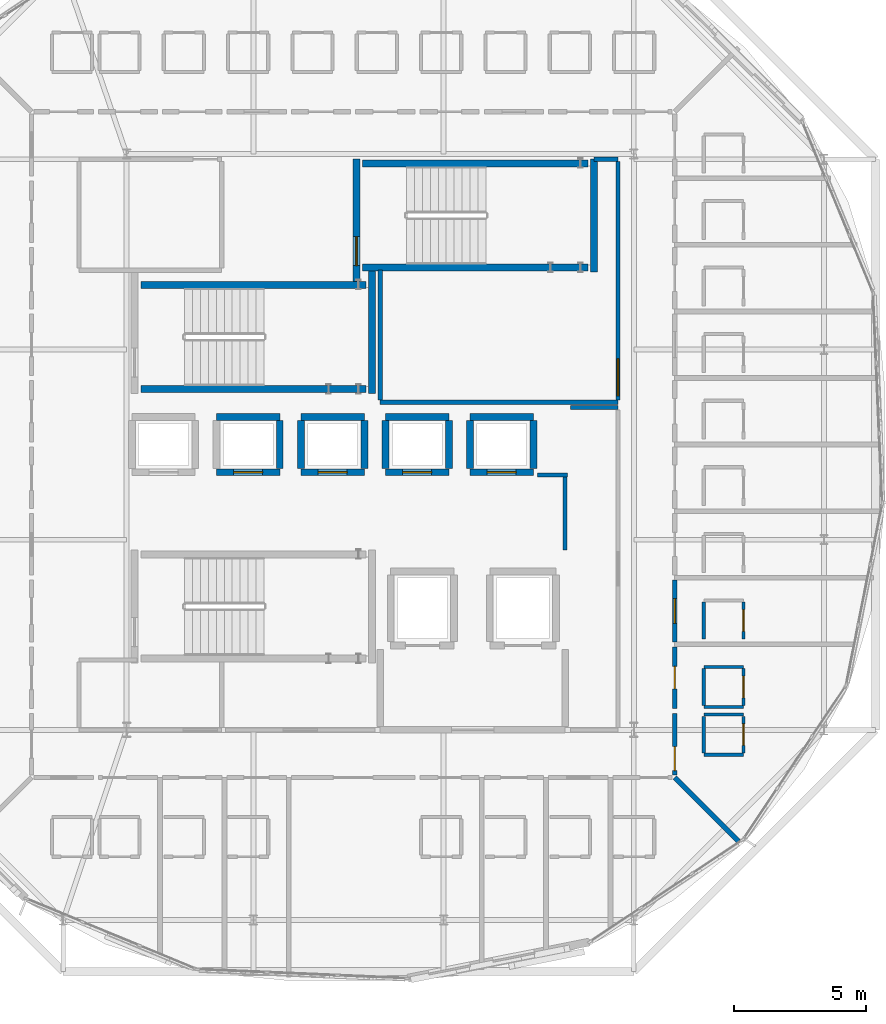
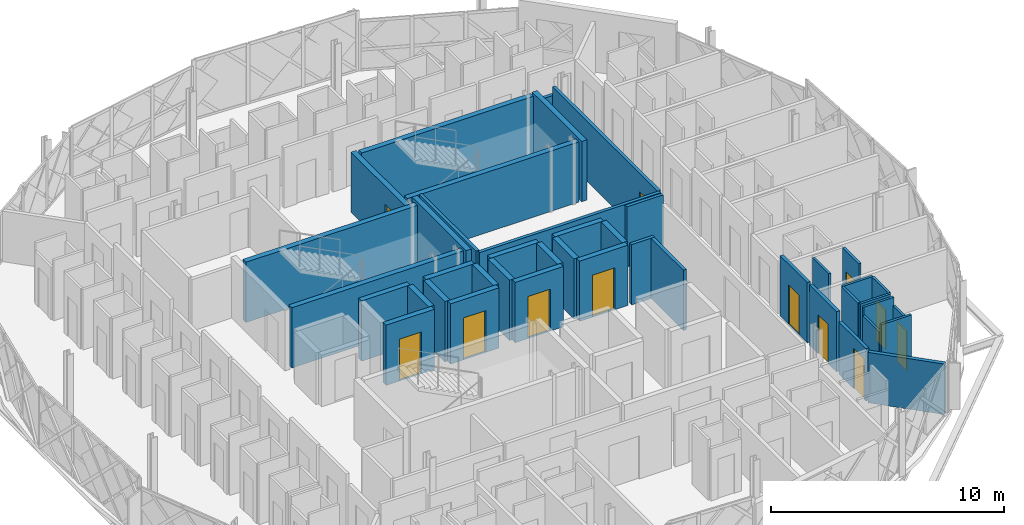
# One storey, part 16 of 24: 43 walls, 12 doors, 12 openings.
"""IFC4 building model written with IfcOpenShell, lengths in metres."""

from ifc_helpers import new_model, si_unit, direction, frame, frame_2d, origin, place, context, subcontext, project, spatial, rectangle, extrude, material, layer, layer_set, type_object, element, fill, save


model = new_model("IFC4")

# Units and contexts
model_context = context("Model", 3, precision=1e-05, world=origin(), true_north=direction((0.0, 1.0)))
body_context = subcontext(model_context, "Body", "Model", "MODEL_VIEW")
ifc_project = project(units=[si_unit("LENGTHUNIT", "METRE"), si_unit("AREAUNIT", "SQUARE_METRE"), si_unit("VOLUMEUNIT", "CUBIC_METRE"), si_unit("PLANEANGLEUNIT", "RADIAN"), si_unit("MASSUNIT", "GRAM", prefix="KILO")], contexts=[model_context])

# Site, building, storey
site_placement = place(None, origin())
site = spatial("IfcSite", under=ifc_project, at=site_placement, CompositionType="ELEMENT")
building_placement = place(site_placement, origin())
building = spatial("IfcBuilding", under=site, at=building_placement, Name="Zevrakil Square Congress Hotel", CompositionType="ELEMENT")
storey_placement = place(building_placement, frame((0.0, 0.0, 35.10009765625)))
storey = spatial("IfcBuildingStorey", under=building, at=storey_placement, Name="L10", CompositionType="ELEMENT", Elevation=35.10009765625)

# Walls
ifc_material_1 = material(Name="Gypsum Acoustic Stud Partition")
ifc_layer_1 = layer(ifc_material_1, 0.159912109375)
ifc_layer_set_1 = layer_set([ifc_layer_1], Name="Gypsum Acoustic Stud Partition")
wall_type_1 = type_object("IfcWallType", Name="WAL-CORR-160", PredefinedType="PARTITIONING", material=ifc_layer_set_1)
wall_1_placement = place(storey_placement, frame((146.39990234375, 29.199951171875, 0.0), z_axis=(0.0, 0.0, 1.0), x_axis=(1.0, 0.0, 0.0)))
element("IfcWall", 1, at=wall_1_placement, inside=storey, type_object=wall_type_1, Name="L10 interior partition PW-L10-1572", PredefinedType="PARTITIONING", context=body_context, shape_type="SweptSolid", body=[
    extrude(rectangle(XDim=9.0, YDim=0.159912109375, at=frame_2d((4.5, 0.0))), origin(), (0.0, 0.0, 1.0), 3.164794921875),
])
wall_2_placement = place(storey_placement, frame((146.39990234375, 29.284912109375, 0.0), z_axis=(0.0, 0.0, 1.0), x_axis=(0.0, 1.0, 0.0)))
element("IfcWall", 2, at=wall_2_placement, inside=storey, type_object=wall_type_1, Name="L10 interior partition PW-L10-1573", PredefinedType="PARTITIONING", context=body_context, shape_type="SweptSolid", body=[
    extrude(rectangle(XDim=4.9150390625, YDim=0.159912109375, at=frame_2d((2.45751953125, 0.0))), origin(), (0.0, 0.0, 1.0), 3.164794921875),
])
wall_3_placement = place(storey_placement, frame((154.5, 38.39990234375, 0.0), z_axis=(0.0, 0.0, 1.0), x_axis=(1.0, 0.0, 0.0)))
element("IfcWall", 3, at=wall_3_placement, inside=storey, type_object=wall_type_1, Name="L10 interior partition PW-L10-1574", PredefinedType="PARTITIONING", context=body_context, shape_type="SweptSolid", body=[
    extrude(rectangle(XDim=0.89990234375, YDim=0.159912109375, at=frame_2d((0.449951171875, 0.0))), origin(), (0.0, 0.0, 1.0), 2.699951171875),
])

# Wall, opening, door
wall_4_placement = place(storey_placement, frame((155.39990234375, 29.284912109375, 0.0), z_axis=(0.0, 0.0, 1.0), x_axis=(0.0, 1.0, 0.0)))
wall_4 = element("IfcWall", 4, at=wall_4_placement, inside=storey, type_object=wall_type_1, Name="L10 interior partition PW-L10-1575", PredefinedType="PARTITIONING", context=body_context, shape_type="SweptSolid", body=[
    extrude(rectangle(XDim=9.030029296875, YDim=0.159912109375, at=frame_2d((4.51513671875, 0.0))), origin(), (0.0, 0.0, 1.0), 3.164794921875),
])
opening_1_placement = place(wall_4_placement, frame((0.159912109375, 0.0, 0.0)))
opening_1 = element("IfcOpeningElement", 5, at=opening_1_placement, cuts=wall_4, Name="Opening ID-09", PredefinedType="OPENING", context=body_context, shape_type="SweptSolid", body=[
    extrude(rectangle(XDim=1.39990234375, YDim=2.199951171875, at=frame_2d((0.699951171875, 1.10009765625))), frame((0.0, 0.08984375, 0.0), z_axis=(0.0, -1.0, 0.0), x_axis=(1.0, 0.0, 0.0)), (0.0, 0.0, 1.0), 0.179931640625),
])
ifc_material_2 = material(Name="Steel S355 Louvred Plant Fire Door", Category="steel")
door_type_1 = type_object("IfcDoorType", Name="DOR-PLANT-140", OperationType="NOTDEFINED", PredefinedType="DOOR", material=ifc_material_2)
door_1_placement = place(opening_1_placement, origin())
door_1 = element("IfcDoor", 6, at=door_1_placement, inside=storey, type_object=door_type_1, Name="L10 interior door 612", OperationType="SINGLE_SWING_RIGHT", OverallHeight=2.199951171875, OverallWidth=1.39990234375, PredefinedType="DOOR", context=body_context, shape_type="SweptSolid", body=[
    extrude(rectangle(XDim=1.39990234375, YDim=2.199951171875, at=frame_2d((0.699951171875, 1.10009765625))), frame((0.0, 0.02490234375, 0.0), z_axis=(0.0, -1.0, 0.0), x_axis=(1.0, 0.0, 0.0)), (0.0, 0.0, 1.0), 0.050048828125),
])
fill(opening_1, door_1)

# Walls
wall_5_placement = place(storey_placement, frame((153.60009765625, 29.0, 0.0), z_axis=(0.0, 0.0, 1.0), x_axis=(1.0, 0.0, 0.0)))
element("IfcWall", 7, at=wall_5_placement, inside=storey, type_object=wall_type_1, Name="L10 interior partition PW-L10-1577", PredefinedType="PARTITIONING", context=body_context, shape_type="SweptSolid", body=[
    extrude(rectangle(XDim=1.7998046875, YDim=0.159912109375, at=frame_2d((0.89990234375, 0.0))), origin(), (0.0, 0.0, 1.0), 3.164794921875),
])
wall_6_placement = place(storey_placement, frame((152.35009765625, 26.449951171875, 0.0), z_axis=(0.0, 0.0, 1.0), x_axis=(1.0, 0.0, 0.0)))
element("IfcWall", 8, at=wall_6_placement, inside=storey, type_object=wall_type_1, Name="L10 interior partition PW-L10-1579", PredefinedType="PARTITIONING", context=body_context, shape_type="SweptSolid", body=[
    extrude(rectangle(XDim=1.14990234375, YDim=0.159912109375, at=frame_2d((0.574951171875, 0.0))), origin(), (0.0, 0.0, 1.0), 3.164794921875),
])
wall_7_placement = place(storey_placement, frame((153.39990234375, 23.60009765625, 0.0), z_axis=(0.0, 0.0, 1.0), x_axis=(0.0, 1.0, 0.0)))
element("IfcWall", 9, at=wall_7_placement, inside=storey, type_object=wall_type_1, Name="L10 interior partition PW-L10-1580", PredefinedType="PARTITIONING", context=body_context, shape_type="SweptSolid", body=[
    extrude(rectangle(XDim=2.7998046875, YDim=0.159912109375, at=frame_2d((1.39990234375, 0.0))), origin(), (0.0, 0.0, 1.0), 3.164794921875),
])

# Wall, opening, door
wall_8_placement = place(storey_placement, frame((157.550048828125, 15.094970703125, 0.0), z_axis=(0.0, 0.0, 1.0), x_axis=(0.0, 1.0, 0.0)))
wall_8 = element("IfcWall", 10, at=wall_8_placement, inside=storey, type_object=wall_type_1, Name="L10 interior partition PW-L10-1625", PredefinedType="PARTITIONING", context=body_context, shape_type="SweptSolid", body=[
    extrude(rectangle(XDim=2.330078125, YDim=0.159912109375, at=frame_2d((1.1650390625, 0.0))), origin(), (0.0, 0.0, 1.0), 2.75),
])
opening_2_placement = place(wall_8_placement, frame((0.159912109375, 0.0, 0.0)))
opening_2 = element("IfcOpeningElement", 11, at=opening_2_placement, cuts=wall_8, Name="Opening ID-H06", PredefinedType="OPENING", context=body_context, shape_type="SweptSolid", body=[
    extrude(rectangle(XDim=0.912109375, YDim=2.1298828125, at=frame_2d((0.4560546875, 1.06494140625))), frame((0.0, 0.08984375, 0.0), z_axis=(0.0, -1.0, 0.0), x_axis=(1.0, 0.0, 0.0)), (0.0, 0.0, 1.0), 0.179931640625),
])
ifc_material_3 = material(Name="Acoustic Timber Fire Door", Category="wood")
door_type_2 = type_object("IfcDoorType", Name="DOR-INT-H06", OperationType="NOTDEFINED", PredefinedType="DOOR", material=ifc_material_3)
door_2_placement = place(opening_2_placement, origin())
door_2 = element("IfcDoor", 12, at=door_2_placement, inside=storey, type_object=door_type_2, Name="L10 interior door 631", OperationType="SINGLE_SWING_LEFT", OverallHeight=2.1298828125, OverallWidth=0.912109375, PredefinedType="DOOR", context=body_context, shape_type="SweptSolid", body=[
    extrude(rectangle(XDim=0.912109375, YDim=2.1298828125, at=frame_2d((0.4560546875, 1.06494140625))), frame((0.0, 0.02490234375, 0.0), z_axis=(0.0, -1.0, 0.0), x_axis=(1.0, 0.0, 0.0)), (0.0, 0.0, 1.0), 0.050048828125),
])
fill(opening_2, door_2)

wall_9_placement = place(storey_placement, frame((157.550048828125, 17.614990234375, 0.0), z_axis=(0.0, 0.0, 1.0), x_axis=(0.0, 1.0, 0.0)))
wall_9 = element("IfcWall", 13, at=wall_9_placement, inside=storey, type_object=wall_type_1, Name="L10 interior partition PW-L10-1630", PredefinedType="PARTITIONING", context=body_context, shape_type="SweptSolid", body=[
    extrude(rectangle(XDim=2.330078125, YDim=0.159912109375, at=frame_2d((1.1650390625, 0.0))), origin(), (0.0, 0.0, 1.0), 3.164794921875),
])
opening_3_placement = place(wall_9_placement, frame((0.737548828125, 0.0, 0.0)))
opening_3 = element("IfcOpeningElement", 14, at=opening_3_placement, cuts=wall_9, Name="Opening ID-G01", PredefinedType="OPENING", context=body_context, shape_type="SweptSolid", body=[
    extrude(rectangle(XDim=0.85498046875, YDim=2.050048828125, at=frame_2d((0.427490234375, 1.02490234375))), frame((0.0, 0.08984375, 0.0), z_axis=(0.0, -1.0, 0.0), x_axis=(1.0, 0.0, 0.0)), (0.0, 0.0, 1.0), 0.179931640625),
])
ifc_material_4 = material(Name="Acoustic Timber Fire Door", Category="wood")
door_type_3 = type_object("IfcDoorType", Name="DOR-INT-G01", OperationType="NOTDEFINED", PredefinedType="DOOR", material=ifc_material_4)
door_3_placement = place(opening_3_placement, origin())
door_3 = element("IfcDoor", 15, at=door_3_placement, inside=storey, type_object=door_type_3, Name="L10 interior door 633", OperationType="SINGLE_SWING_LEFT", OverallHeight=2.050048828125, OverallWidth=0.85498046875, PredefinedType="DOOR", context=body_context, shape_type="SweptSolid", body=[
    extrude(rectangle(XDim=0.85498046875, YDim=2.050048828125, at=frame_2d((0.427490234375, 1.02490234375))), frame((0.0, 0.02490234375, 0.0), z_axis=(0.0, -1.0, 0.0), x_axis=(1.0, 0.0, 0.0)), (0.0, 0.0, 1.0), 0.050048828125),
])
fill(opening_3, door_3)

wall_10_placement = place(storey_placement, frame((157.550048828125, 20.135009765625, 0.0), z_axis=(0.0, 0.0, 1.0), x_axis=(0.0, 1.0, 0.0)))
wall_10 = element("IfcWall", 16, at=wall_10_placement, inside=storey, type_object=wall_type_1, Name="L10 interior partition PW-L10-1636", PredefinedType="PARTITIONING", context=body_context, shape_type="SweptSolid", body=[
    extrude(rectangle(XDim=2.330078125, YDim=0.159912109375, at=frame_2d((1.1650390625, 0.0))), origin(), (0.0, 0.0, 1.0), 3.164794921875),
])
opening_4_placement = place(wall_10_placement, frame((0.697021484375, 0.0, 0.0)))
opening_4 = element("IfcOpeningElement", 17, at=opening_4_placement, cuts=wall_10, Name="Opening ID-H08", PredefinedType="OPENING", context=body_context, shape_type="SweptSolid", body=[
    extrude(rectangle(XDim=0.93603515625, YDim=2.070068359375, at=frame_2d((0.468017578125, 1.03515625))), frame((0.0, 0.08984375, 0.0), z_axis=(0.0, -1.0, 0.0), x_axis=(1.0, 0.0, 0.0)), (0.0, 0.0, 1.0), 0.179931640625),
])
ifc_material_5 = material(Name="Acoustic Timber Fire Door", Category="wood")
door_type_4 = type_object("IfcDoorType", Name="DOR-INT-H08", OperationType="NOTDEFINED", PredefinedType="DOOR", material=ifc_material_5)
door_4_placement = place(opening_4_placement, origin())
door_4 = element("IfcDoor", 18, at=door_4_placement, inside=storey, type_object=door_type_4, Name="L10 interior door 635", OperationType="SINGLE_SWING_LEFT", OverallHeight=2.070068359375, OverallWidth=0.93603515625, PredefinedType="DOOR", context=body_context, shape_type="SweptSolid", body=[
    extrude(rectangle(XDim=0.93603515625, YDim=2.070068359375, at=frame_2d((0.468017578125, 1.03515625))), frame((0.0, 0.02490234375, 0.0), z_axis=(0.0, -1.0, 0.0), x_axis=(1.0, 0.0, 0.0)), (0.0, 0.0, 1.0), 0.050048828125),
])
fill(opening_4, door_4)

# Walls
ifc_material_6 = material(Name="Moisture-Resistant Gypsum Partition")
ifc_layer_2 = layer(ifc_material_6, 0.1201171875)
ifc_layer_set_2 = layer_set([ifc_layer_2], Name="Moisture-Resistant Gypsum Partition")
wall_type_2 = type_object("IfcWallType", Name="WAL-ENS-120", PredefinedType="PARTITIONING", material=ifc_layer_set_2)
for number, where, z_axis, x_axis, name in (
    (19, (158.64990234375, 15.860107421875, 0.0), (0.0, 0.0, 1.0), (1.0, 0.0, 0.0), "L10 interior partition PW-L10-1626"),
    (20, (158.64990234375, 17.3798828125, 0.0), (0.0, 0.0, 1.0), (1.0, 0.0, 0.0), "L10 interior partition PW-L10-1627"),
):
    element("IfcWall", number, at=place(storey_placement, frame(where, z_axis=z_axis, x_axis=x_axis)), inside=storey, type_object=wall_type_2, Name=name, PredefinedType="PARTITIONING", context=body_context, shape_type="SweptSolid", body=[
        extrude(rectangle(XDim=1.5, YDim=0.1201171875, at=frame_2d((0.75, 0.0))), origin(), (0.0, 0.0, 1.0), 3.164794921875),
    ])
wall_11_placement = place(storey_placement, frame((158.64990234375, 15.925048828125, 0.0), z_axis=(0.0, 0.0, 1.0), x_axis=(0.0, 1.0, 0.0)))
element("IfcWall", 21, at=wall_11_placement, inside=storey, type_object=wall_type_2, Name="L10 interior partition PW-L10-1628", PredefinedType="PARTITIONING", context=body_context, shape_type="SweptSolid", body=[
    extrude(rectangle(XDim=1.389892578125, YDim=0.1201171875, at=frame_2d((0.69482421875, 0.0))), origin(), (0.0, 0.0, 1.0), 2.75),
])

# Wall, opening, door
wall_12_placement = place(storey_placement, frame((160.14990234375, 15.925048828125, 0.0), z_axis=(0.0, 0.0, 1.0), x_axis=(0.0, 1.0, 0.0)))
wall_12 = element("IfcWall", 22, at=wall_12_placement, inside=storey, type_object=wall_type_2, Name="L10 interior partition PW-L10-1629", PredefinedType="PARTITIONING", context=body_context, shape_type="SweptSolid", body=[
    extrude(rectangle(XDim=1.389892578125, YDim=0.1201171875, at=frame_2d((0.69482421875, 0.0))), origin(), (0.0, 0.0, 1.0), 2.75),
])
opening_5_placement = place(wall_12_placement, frame((0.284912109375, 0.0, 0.0)))
opening_5 = element("IfcOpeningElement", 23, at=opening_5_placement, cuts=wall_12, Name="Opening ID-11", PredefinedType="OPENING", context=body_context, shape_type="SweptSolid", body=[
    extrude(rectangle(XDim=0.820068359375, YDim=2.080078125, at=frame_2d((0.41015625, 1.0400390625))), frame((0.0, 0.070068359375, 0.0), z_axis=(0.0, -1.0, 0.0), x_axis=(1.0, 0.0, 0.0)), (0.0, 0.0, 1.0), 0.14013671875),
])
ifc_material_7 = material(Name="Acoustic Timber Door", Category="wood")
door_type_5 = type_object("IfcDoorType", Name="DOR-INT-V01", OperationType="NOTDEFINED", PredefinedType="DOOR", material=ifc_material_7)
door_5_placement = place(opening_5_placement, origin())
door_5 = element("IfcDoor", 24, at=door_5_placement, inside=storey, type_object=door_type_5, Name="L10 interior door 632", OperationType="SINGLE_SWING_RIGHT", OverallHeight=2.080078125, OverallWidth=0.820068359375, PredefinedType="DOOR", context=body_context, shape_type="SweptSolid", body=[
    extrude(rectangle(XDim=0.820068359375, YDim=2.080078125, at=frame_2d((0.41015625, 1.0400390625))), frame((0.0, 0.02490234375, 0.0), z_axis=(0.0, -1.0, 0.0), x_axis=(1.0, 0.0, 0.0)), (0.0, 0.0, 1.0), 0.050048828125),
])
fill(opening_5, door_5)

# Walls
for number, where, z_axis, x_axis, name in (
    (25, (158.64990234375, 17.659912109375, 0.0), (0.0, 0.0, 1.0), (1.0, 0.0, 0.0), "L10 interior partition PW-L10-1631"),
    (26, (158.64990234375, 19.179931640625, 0.0), (0.0, 0.0, 1.0), (1.0, 0.0, 0.0), "L10 interior partition PW-L10-1632"),
):
    element("IfcWall", number, at=place(storey_placement, frame(where, z_axis=z_axis, x_axis=x_axis)), inside=storey, type_object=wall_type_2, Name=name, PredefinedType="PARTITIONING", context=body_context, shape_type="SweptSolid", body=[
        extrude(rectangle(XDim=1.5, YDim=0.1201171875, at=frame_2d((0.75, 0.0))), origin(), (0.0, 0.0, 1.0), 3.164794921875),
    ])
wall_13_placement = place(storey_placement, frame((158.64990234375, 17.72509765625, 0.0), z_axis=(0.0, 0.0, 1.0), x_axis=(0.0, 1.0, 0.0)))
element("IfcWall", 27, at=wall_13_placement, inside=storey, type_object=wall_type_2, Name="L10 interior partition PW-L10-1633", PredefinedType="PARTITIONING", context=body_context, shape_type="SweptSolid", body=[
    extrude(rectangle(XDim=1.389892578125, YDim=0.1201171875, at=frame_2d((0.69482421875, 0.0))), origin(), (0.0, 0.0, 1.0), 3.164794921875),
])

# Wall, opening, door
wall_14_placement = place(storey_placement, frame((160.14990234375, 17.72509765625, 0.0), z_axis=(0.0, 0.0, 1.0), x_axis=(0.0, 1.0, 0.0)))
wall_14 = element("IfcWall", 28, at=wall_14_placement, inside=storey, type_object=wall_type_2, Name="L10 interior partition PW-L10-1634", PredefinedType="PARTITIONING", context=body_context, shape_type="SweptSolid", body=[
    extrude(rectangle(XDim=1.389892578125, YDim=0.1201171875, at=frame_2d((0.69482421875, 0.0))), origin(), (0.0, 0.0, 1.0), 3.164794921875),
])
opening_6_placement = place(wall_14_placement, frame((0.284912109375, 0.0, 0.0)))
opening_6 = element("IfcOpeningElement", 29, at=opening_6_placement, cuts=wall_14, Name="Opening ID-11", PredefinedType="OPENING", context=body_context, shape_type="SweptSolid", body=[
    extrude(rectangle(XDim=0.820068359375, YDim=2.080078125, at=frame_2d((0.41015625, 1.0400390625))), frame((0.0, 0.070068359375, 0.0), z_axis=(0.0, -1.0, 0.0), x_axis=(1.0, 0.0, 0.0)), (0.0, 0.0, 1.0), 0.14013671875),
])
door_6_placement = place(opening_6_placement, origin())
door_6 = element("IfcDoor", 30, at=door_6_placement, inside=storey, type_object=door_type_5, Name="L10 interior door 634", OperationType="SINGLE_SWING_RIGHT", OverallHeight=2.080078125, OverallWidth=0.820068359375, PredefinedType="DOOR", context=body_context, shape_type="SweptSolid", body=[
    extrude(rectangle(XDim=0.820068359375, YDim=2.080078125, at=frame_2d((0.41015625, 1.0400390625))), frame((0.0, 0.02490234375, 0.0), z_axis=(0.0, -1.0, 0.0), x_axis=(1.0, 0.0, 0.0)), (0.0, 0.0, 1.0), 0.050048828125),
])
fill(opening_6, door_6)

# Wall
wall_15_placement = place(storey_placement, frame((158.64990234375, 20.2451171875, 0.0), z_axis=(0.0, 0.0, 1.0), x_axis=(0.0, 1.0, 0.0)))
element("IfcWall", 31, at=wall_15_placement, inside=storey, type_object=wall_type_2, Name="L10 interior partition PW-L10-1638", PredefinedType="PARTITIONING", context=body_context, shape_type="SweptSolid", body=[
    extrude(rectangle(XDim=1.389892578125, YDim=0.1201171875, at=frame_2d((0.69482421875, 0.0))), origin(), (0.0, 0.0, 1.0), 3.164794921875),
])

# Wall, opening, door
wall_16_placement = place(storey_placement, frame((160.14990234375, 20.2451171875, 0.0), z_axis=(0.0, 0.0, 1.0), x_axis=(0.0, 1.0, 0.0)))
wall_16 = element("IfcWall", 32, at=wall_16_placement, inside=storey, type_object=wall_type_2, Name="L10 interior partition PW-L10-1639", PredefinedType="PARTITIONING", context=body_context, shape_type="SweptSolid", body=[
    extrude(rectangle(XDim=1.389892578125, YDim=0.1201171875, at=frame_2d((0.69482421875, 0.0))), origin(), (0.0, 0.0, 1.0), 3.164794921875),
])
opening_7_placement = place(wall_16_placement, frame((0.284912109375, 0.0, 0.0)))
opening_7 = element("IfcOpeningElement", 33, at=opening_7_placement, cuts=wall_16, Name="Opening ID-11", PredefinedType="OPENING", context=body_context, shape_type="SweptSolid", body=[
    extrude(rectangle(XDim=0.820068359375, YDim=2.080078125, at=frame_2d((0.41015625, 1.0400390625))), frame((0.0, 0.070068359375, 0.0), z_axis=(0.0, -1.0, 0.0), x_axis=(1.0, 0.0, 0.0)), (0.0, 0.0, 1.0), 0.14013671875),
])
door_7_placement = place(opening_7_placement, origin())
door_7 = element("IfcDoor", 34, at=door_7_placement, inside=storey, type_object=door_type_5, Name="L10 interior door 636", OperationType="SINGLE_SWING_RIGHT", OverallHeight=2.080078125, OverallWidth=0.820068359375, PredefinedType="DOOR", context=body_context, shape_type="SweptSolid", body=[
    extrude(rectangle(XDim=0.820068359375, YDim=2.080078125, at=frame_2d((0.41015625, 1.0400390625))), frame((0.0, 0.02490234375, 0.0), z_axis=(0.0, -1.0, 0.0), x_axis=(1.0, 0.0, 0.0)), (0.0, 0.0, 1.0), 0.050048828125),
])
fill(opening_7, door_7)

# Walls
ifc_material_8 = material(Name="Gypsum Twin-Stud Party Partition")
ifc_layer_3 = layer(ifc_material_8, 0.179931640625)
ifc_layer_set_3 = layer_set([ifc_layer_3], Name="Gypsum Twin-Stud Party Partition")
wall_type_3 = type_object("IfcWallType", Name="WAL-PARTY-180", PredefinedType="PARTITIONING", material=ifc_layer_set_3)
wall_17_placement = place(storey_placement, frame((157.550048828125, 15.0, 0.0), z_axis=(0.0, 0.0, 1.0), x_axis=(0.707106781187, -0.707106781187, 0.0)))
element("IfcWall", 35, at=wall_17_placement, inside=storey, type_object=wall_type_3, Name="L10 interior partition PW-L10-1624", PredefinedType="PARTITIONING", context=body_context, shape_type="SweptSolid", body=[
    extrude(rectangle(XDim=3.41259765625, YDim=0.179931640625, at=frame_2d((1.706298828125, 0.0))), origin(), (0.0, 0.0, 1.0), 2.64990234375),
])
ifc_material_9 = material(Name="Concrete C40/50", Category="concrete")
ifc_layer_4 = layer(ifc_material_9, 0.260009765625)
ifc_layer_set_4 = layer_set([ifc_layer_4], Name="Concrete C40/50")
wall_type_4 = type_object("IfcWallType", Name="WAL-SHAFT-260", PredefinedType="SHEAR", material=ifc_layer_set_4)
wall_18_placement = place(storey_placement, frame((146.094970703125, 29.5400390625, 0.0), z_axis=(0.0, 0.0, 1.0), x_axis=(0.0, 1.0, 0.0)))
element("IfcWall", 36, at=wall_18_placement, inside=storey, type_object=wall_type_4, Name="L10 ST02 stair shaft E wall", PredefinedType="SHEAR", context=body_context, shape_type="SweptSolid", body=[
    extrude(rectangle(XDim=4.635009765625, YDim=0.260009765625, at=frame_2d((2.3173828125, 0.0))), origin(), (0.0, 0.0, 1.0), 3.164794921875),
])
for number, where, z_axis, x_axis, name in (
    (37, (137.340087890625, 29.705078125, 0.0), (0.0, 0.0, 1.0), (1.0, 0.0, 0.0), "L10 ST02 stair shaft S wall"),
    (38, (137.340087890625, 33.64501953125, 0.0), (0.0, 0.0, 1.0), (1.0, 0.0, 0.0), "L10 ST02 stair shaft N wall"),
):
    element("IfcWall", number, at=place(storey_placement, frame(where, z_axis=z_axis, x_axis=x_axis)), inside=storey, type_object=wall_type_4, Name=name, PredefinedType="SHEAR", context=body_context, shape_type="SweptSolid", body=[
        extrude(rectangle(XDim=8.52001953125, YDim=0.260009765625, at=frame_2d((4.260009765625, 0.0))), origin(), (0.0, 0.0, 1.0), 3.164794921875),
    ])

# Wall, opening, door
wall_19_placement = place(storey_placement, frame((145.5048828125, 33.764892578125, 0.0), z_axis=(0.0, 0.0, 1.0), x_axis=(0.0, 1.0, 0.0)))
wall_19 = element("IfcWall", 39, at=wall_19_placement, inside=storey, type_object=wall_type_4, Name="L10 ST03 stair shaft W wall", PredefinedType="SHEAR", context=body_context, shape_type="SweptSolid", body=[
    extrude(rectangle(XDim=4.64501953125, YDim=0.260009765625, at=frame_2d((2.322509765625, 0.0))), origin(), (0.0, 0.0, 1.0), 3.164794921875),
])
opening_8_placement = place(wall_19_placement, frame((0.610107421875, 0.0, 0.0)))
opening_8 = element("IfcOpeningElement", 40, at=opening_8_placement, cuts=wall_19, Name="Opening SD-ST03", PredefinedType="OPENING", context=body_context, shape_type="SweptSolid", body=[
    extrude(rectangle(XDim=1.10009765625, YDim=2.199951171875, at=frame_2d((0.550048828125, 1.10009765625))), frame((0.0, 0.14013671875, 0.0), z_axis=(0.0, -1.0, 0.0), x_axis=(1.0, 0.0, 0.0)), (0.0, 0.0, 1.0), 0.280029296875),
])
ifc_material_10 = material(Name="Steel S355 Fire-Rated Door", Category="steel")
door_type_6 = type_object("IfcDoorType", Name="DOR-STAIR-FD90-110", OperationType="NOTDEFINED", PredefinedType="DOOR", material=ifc_material_10)
door_8_placement = place(opening_8_placement, origin())
door_8 = element("IfcDoor", 41, at=door_8_placement, inside=storey, type_object=door_type_6, Name="L10 ST03 protected stair fire door", OperationType="SINGLE_SWING_LEFT", OverallHeight=2.199951171875, OverallWidth=1.10009765625, PredefinedType="DOOR", context=body_context, shape_type="SweptSolid", body=[
    extrude(rectangle(XDim=1.10009765625, YDim=2.199951171875, at=frame_2d((0.550048828125, 1.10009765625))), frame((0.0, 0.02490234375, 0.0), z_axis=(0.0, -1.0, 0.0), x_axis=(1.0, 0.0, 0.0)), (0.0, 0.0, 1.0), 0.050048828125),
])
fill(opening_8, door_8)

# Walls
wall_20_placement = place(storey_placement, frame((154.4951171875, 34.139892578125, 0.0), z_axis=(0.0, 0.0, 1.0), x_axis=(0.0, 1.0, 0.0)))
element("IfcWall", 42, at=wall_20_placement, inside=storey, type_object=wall_type_4, Name="L10 ST03 stair shaft E wall", PredefinedType="SHEAR", context=body_context, shape_type="SweptSolid", body=[
    extrude(rectangle(XDim=4.27001953125, YDim=0.260009765625, at=frame_2d((2.135009765625, 0.0))), origin(), (0.0, 0.0, 1.0), 3.164794921875),
])
for number, where, z_axis, x_axis, name in (
    (43, (145.739990234375, 34.304931640625, 0.0), (0.0, 0.0, 1.0), (1.0, 0.0, 0.0), "L10 ST03 stair shaft S wall"),
    (44, (145.739990234375, 38.2451171875, 0.0), (0.0, 0.0, 1.0), (1.0, 0.0, 0.0), "L10 ST03 stair shaft N wall"),
):
    element("IfcWall", number, at=place(storey_placement, frame(where, z_axis=z_axis, x_axis=x_axis)), inside=storey, type_object=wall_type_4, Name=name, PredefinedType="SHEAR", context=body_context, shape_type="SweptSolid", body=[
        extrude(rectangle(XDim=8.52001953125, YDim=0.260009765625, at=frame_2d((4.260009765625, 0.0))), origin(), (0.0, 0.0, 1.0), 3.164794921875),
    ])

# Wall, opening, door
wall_21_placement = place(storey_placement, frame((140.199951171875, 26.550048828125, 0.0), z_axis=(0.0, 0.0, 1.0), x_axis=(1.0, 0.0, 0.0)))
wall_21 = element("IfcWall", 45, at=wall_21_placement, inside=storey, type_object=wall_type_4, Name="L10 HL2 lift shaft wall", PredefinedType="SHEAR", context=body_context, shape_type="SweptSolid", body=[
    extrude(rectangle(XDim=2.400146484375, YDim=0.260009765625, at=frame_2d((1.2001953125, 0.0))), origin(), (0.0, 0.0, 1.0), 3.164794921875),
])
opening_9_placement = place(wall_21_placement, frame((0.64990234375, 0.0, 0.0)))
opening_9 = element("IfcOpeningElement", 46, at=opening_9_placement, cuts=wall_21, Name="Opening LD-HL2", PredefinedType="OPENING", context=body_context, shape_type="SweptSolid", body=[
    extrude(rectangle(XDim=1.10009765625, YDim=2.199951171875, at=frame_2d((0.550048828125, 1.10009765625))), frame((0.0, 0.14013671875, 0.0), z_axis=(0.0, -1.0, 0.0), x_axis=(1.0, 0.0, 0.0)), (0.0, 0.0, 1.0), 0.280029296875),
])
ifc_material_11 = material(Name="Stainless Steel Sliding Lift Landing Door", Category="steel")
door_type_7 = type_object("IfcDoorType", Name="DOR-LIFT-LD110", OperationType="NOTDEFINED", PredefinedType="DOOR", material=ifc_material_11)
door_9_placement = place(opening_9_placement, origin())
door_9 = element("IfcDoor", 47, at=door_9_placement, inside=storey, type_object=door_type_7, Name="L10 HL2 sliding lift landing door", OperationType="SLIDING_TO_RIGHT", OverallHeight=2.199951171875, OverallWidth=1.10009765625, PredefinedType="DOOR", context=body_context, shape_type="SweptSolid", body=[
    extrude(rectangle(XDim=1.10009765625, YDim=2.199951171875, at=frame_2d((0.550048828125, 1.10009765625))), frame((0.0, 0.02490234375, 0.0), z_axis=(0.0, -1.0, 0.0), x_axis=(1.0, 0.0, 0.0)), (0.0, 0.0, 1.0), 0.050048828125),
])
fill(opening_9, door_9)

# Walls
wall_22_placement = place(storey_placement, frame((140.199951171875, 28.64990234375, 0.0), z_axis=(0.0, 0.0, 1.0), x_axis=(1.0, 0.0, 0.0)))
element("IfcWall", 48, at=wall_22_placement, inside=storey, type_object=wall_type_4, Name="L10 HL2 lift shaft wall", PredefinedType="SHEAR", context=body_context, shape_type="SweptSolid", body=[
    extrude(rectangle(XDim=2.400146484375, YDim=0.260009765625, at=frame_2d((1.2001953125, 0.0))), origin(), (0.0, 0.0, 1.0), 3.164794921875),
])
wall_23_placement = place(storey_placement, frame((142.60009765625, 26.68994140625, 0.0), z_axis=(0.0, 0.0, 1.0), x_axis=(0.0, 1.0, 0.0)))
element("IfcWall", 49, at=wall_23_placement, inside=storey, type_object=wall_type_4, Name="L10 HL2 lift shaft wall", PredefinedType="SHEAR", context=body_context, shape_type="SweptSolid", body=[
    extrude(rectangle(XDim=1.820068359375, YDim=0.260009765625, at=frame_2d((0.91015625, 0.0))), origin(), (0.0, 0.0, 1.0), 3.164794921875),
])

# Wall, opening, door
wall_24_placement = place(storey_placement, frame((143.39990234375, 26.550048828125, 0.0), z_axis=(0.0, 0.0, 1.0), x_axis=(1.0, 0.0, 0.0)))
wall_24 = element("IfcWall", 50, at=wall_24_placement, inside=storey, type_object=wall_type_4, Name="L10 HL3 lift shaft wall", PredefinedType="SHEAR", context=body_context, shape_type="SweptSolid", body=[
    extrude(rectangle(XDim=2.400146484375, YDim=0.260009765625, at=frame_2d((1.2001953125, 0.0))), origin(), (0.0, 0.0, 1.0), 3.164794921875),
])
opening_10_placement = place(wall_24_placement, frame((0.64990234375, 0.0, 0.0)))
opening_10 = element("IfcOpeningElement", 51, at=opening_10_placement, cuts=wall_24, Name="Opening LD-HL3", PredefinedType="OPENING", context=body_context, shape_type="SweptSolid", body=[
    extrude(rectangle(XDim=1.10009765625, YDim=2.199951171875, at=frame_2d((0.550048828125, 1.10009765625))), frame((0.0, 0.14013671875, 0.0), z_axis=(0.0, -1.0, 0.0), x_axis=(1.0, 0.0, 0.0)), (0.0, 0.0, 1.0), 0.280029296875),
])
door_10_placement = place(opening_10_placement, origin())
door_10 = element("IfcDoor", 52, at=door_10_placement, inside=storey, type_object=door_type_7, Name="L10 HL3 sliding lift landing door", OperationType="SLIDING_TO_LEFT", OverallHeight=2.199951171875, OverallWidth=1.10009765625, PredefinedType="DOOR", context=body_context, shape_type="SweptSolid", body=[
    extrude(rectangle(XDim=1.10009765625, YDim=2.199951171875, at=frame_2d((0.550048828125, 1.10009765625))), frame((0.0, 0.02490234375, 0.0), z_axis=(0.0, -1.0, 0.0), x_axis=(1.0, 0.0, 0.0)), (0.0, 0.0, 1.0), 0.050048828125),
])
fill(opening_10, door_10)

# Walls
wall_25_placement = place(storey_placement, frame((143.39990234375, 28.64990234375, 0.0), z_axis=(0.0, 0.0, 1.0), x_axis=(1.0, 0.0, 0.0)))
element("IfcWall", 53, at=wall_25_placement, inside=storey, type_object=wall_type_4, Name="L10 HL3 lift shaft wall", PredefinedType="SHEAR", context=body_context, shape_type="SweptSolid", body=[
    extrude(rectangle(XDim=2.400146484375, YDim=0.260009765625, at=frame_2d((1.2001953125, 0.0))), origin(), (0.0, 0.0, 1.0), 3.164794921875),
])
for number, where, z_axis, x_axis, name in (
    (54, (143.39990234375, 26.68994140625, 0.0), (0.0, 0.0, 1.0), (0.0, 1.0, 0.0), "L10 HL3 lift shaft wall"),
    (55, (145.800048828125, 26.68994140625, 0.0), (0.0, 0.0, 1.0), (0.0, 1.0, 0.0), "L10 HL3 lift shaft wall"),
):
    element("IfcWall", number, at=place(storey_placement, frame(where, z_axis=z_axis, x_axis=x_axis)), inside=storey, type_object=wall_type_4, Name=name, PredefinedType="SHEAR", context=body_context, shape_type="SweptSolid", body=[
        extrude(rectangle(XDim=1.820068359375, YDim=0.260009765625, at=frame_2d((0.91015625, 0.0))), origin(), (0.0, 0.0, 1.0), 3.164794921875),
    ])

# Wall, opening, door
wall_26_placement = place(storey_placement, frame((146.60009765625, 26.550048828125, 0.0), z_axis=(0.0, 0.0, 1.0), x_axis=(1.0, 0.0, 0.0)))
wall_26 = element("IfcWall", 56, at=wall_26_placement, inside=storey, type_object=wall_type_4, Name="L10 HL4 lift shaft wall", PredefinedType="SHEAR", context=body_context, shape_type="SweptSolid", body=[
    extrude(rectangle(XDim=2.39990234375, YDim=0.260009765625, at=frame_2d((1.199951171875, 0.0))), origin(), (0.0, 0.0, 1.0), 3.164794921875),
])
opening_11_placement = place(wall_26_placement, frame((0.64990234375, 0.0, 0.0)))
opening_11 = element("IfcOpeningElement", 57, at=opening_11_placement, cuts=wall_26, Name="Opening LD-HL4", PredefinedType="OPENING", context=body_context, shape_type="SweptSolid", body=[
    extrude(rectangle(XDim=1.10009765625, YDim=2.199951171875, at=frame_2d((0.550048828125, 1.10009765625))), frame((0.0, 0.14013671875, 0.0), z_axis=(0.0, -1.0, 0.0), x_axis=(1.0, 0.0, 0.0)), (0.0, 0.0, 1.0), 0.280029296875),
])
door_11_placement = place(opening_11_placement, origin())
door_11 = element("IfcDoor", 58, at=door_11_placement, inside=storey, type_object=door_type_7, Name="L10 HL4 sliding lift landing door", OperationType="SLIDING_TO_RIGHT", OverallHeight=2.199951171875, OverallWidth=1.10009765625, PredefinedType="DOOR", context=body_context, shape_type="SweptSolid", body=[
    extrude(rectangle(XDim=1.10009765625, YDim=2.199951171875, at=frame_2d((0.550048828125, 1.10009765625))), frame((0.0, 0.02490234375, 0.0), z_axis=(0.0, -1.0, 0.0), x_axis=(1.0, 0.0, 0.0)), (0.0, 0.0, 1.0), 0.050048828125),
])
fill(opening_11, door_11)

# Walls
wall_27_placement = place(storey_placement, frame((146.60009765625, 28.64990234375, 0.0), z_axis=(0.0, 0.0, 1.0), x_axis=(1.0, 0.0, 0.0)))
element("IfcWall", 59, at=wall_27_placement, inside=storey, type_object=wall_type_4, Name="L10 HL4 lift shaft wall", PredefinedType="SHEAR", context=body_context, shape_type="SweptSolid", body=[
    extrude(rectangle(XDim=2.39990234375, YDim=0.260009765625, at=frame_2d((1.199951171875, 0.0))), origin(), (0.0, 0.0, 1.0), 3.164794921875),
])
for number, where, z_axis, x_axis, name in (
    (60, (146.60009765625, 26.68994140625, 0.0), (0.0, 0.0, 1.0), (0.0, 1.0, 0.0), "L10 HL4 lift shaft wall"),
    (61, (149.0, 26.68994140625, 0.0), (0.0, 0.0, 1.0), (0.0, 1.0, 0.0), "L10 HL4 lift shaft wall"),
):
    element("IfcWall", number, at=place(storey_placement, frame(where, z_axis=z_axis, x_axis=x_axis)), inside=storey, type_object=wall_type_4, Name=name, PredefinedType="SHEAR", context=body_context, shape_type="SweptSolid", body=[
        extrude(rectangle(XDim=1.820068359375, YDim=0.260009765625, at=frame_2d((0.91015625, 0.0))), origin(), (0.0, 0.0, 1.0), 3.164794921875),
    ])

# Wall, opening, door
wall_28_placement = place(storey_placement, frame((149.800048828125, 26.550048828125, 0.0), z_axis=(0.0, 0.0, 1.0), x_axis=(1.0, 0.0, 0.0)))
wall_28 = element("IfcWall", 62, at=wall_28_placement, inside=storey, type_object=wall_type_4, Name="L10 HL5 lift shaft wall", PredefinedType="SHEAR", context=body_context, shape_type="SweptSolid", body=[
    extrude(rectangle(XDim=2.39990234375, YDim=0.260009765625, at=frame_2d((1.199951171875, 0.0))), origin(), (0.0, 0.0, 1.0), 3.164794921875),
])
opening_12_placement = place(wall_28_placement, frame((0.64990234375, 0.0, 0.0)))
opening_12 = element("IfcOpeningElement", 63, at=opening_12_placement, cuts=wall_28, Name="Opening LD-HL5", PredefinedType="OPENING", context=body_context, shape_type="SweptSolid", body=[
    extrude(rectangle(XDim=1.10009765625, YDim=2.199951171875, at=frame_2d((0.550048828125, 1.10009765625))), frame((0.0, 0.14013671875, 0.0), z_axis=(0.0, -1.0, 0.0), x_axis=(1.0, 0.0, 0.0)), (0.0, 0.0, 1.0), 0.280029296875),
])
door_12_placement = place(opening_12_placement, origin())
door_12 = element("IfcDoor", 64, at=door_12_placement, inside=storey, type_object=door_type_7, Name="L10 HL5 sliding lift landing door", OperationType="SLIDING_TO_LEFT", OverallHeight=2.199951171875, OverallWidth=1.10009765625, PredefinedType="DOOR", context=body_context, shape_type="SweptSolid", body=[
    extrude(rectangle(XDim=1.10009765625, YDim=2.199951171875, at=frame_2d((0.550048828125, 1.10009765625))), frame((0.0, 0.02490234375, 0.0), z_axis=(0.0, -1.0, 0.0), x_axis=(1.0, 0.0, 0.0)), (0.0, 0.0, 1.0), 0.050048828125),
])
fill(opening_12, door_12)

# Walls
wall_29_placement = place(storey_placement, frame((149.800048828125, 28.64990234375, 0.0), z_axis=(0.0, 0.0, 1.0), x_axis=(1.0, 0.0, 0.0)))
element("IfcWall", 65, at=wall_29_placement, inside=storey, type_object=wall_type_4, Name="L10 HL5 lift shaft wall", PredefinedType="SHEAR", context=body_context, shape_type="SweptSolid", body=[
    extrude(rectangle(XDim=2.39990234375, YDim=0.260009765625, at=frame_2d((1.199951171875, 0.0))), origin(), (0.0, 0.0, 1.0), 3.164794921875),
])
for number, where, z_axis, x_axis, name in (
    (66, (149.800048828125, 26.68994140625, 0.0), (0.0, 0.0, 1.0), (0.0, 1.0, 0.0), "L10 HL5 lift shaft wall"),
    (67, (152.199951171875, 26.68994140625, 0.0), (0.0, 0.0, 1.0), (0.0, 1.0, 0.0), "L10 HL5 lift shaft wall"),
):
    element("IfcWall", number, at=place(storey_placement, frame(where, z_axis=z_axis, x_axis=x_axis)), inside=storey, type_object=wall_type_4, Name=name, PredefinedType="SHEAR", context=body_context, shape_type="SweptSolid", body=[
        extrude(rectangle(XDim=1.820068359375, YDim=0.260009765625, at=frame_2d((0.91015625, 0.0))), origin(), (0.0, 0.0, 1.0), 3.164794921875),
    ])

save(model, "model.ifc")
